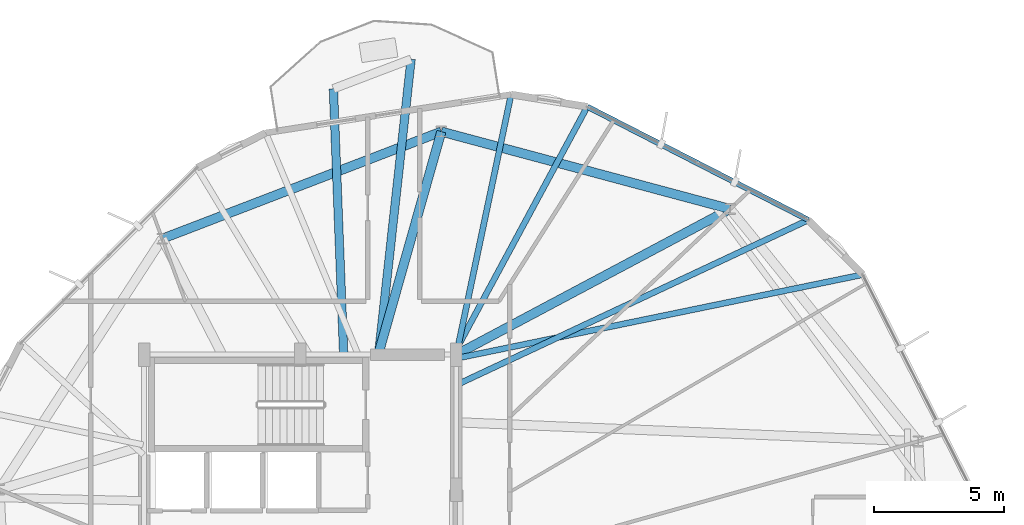
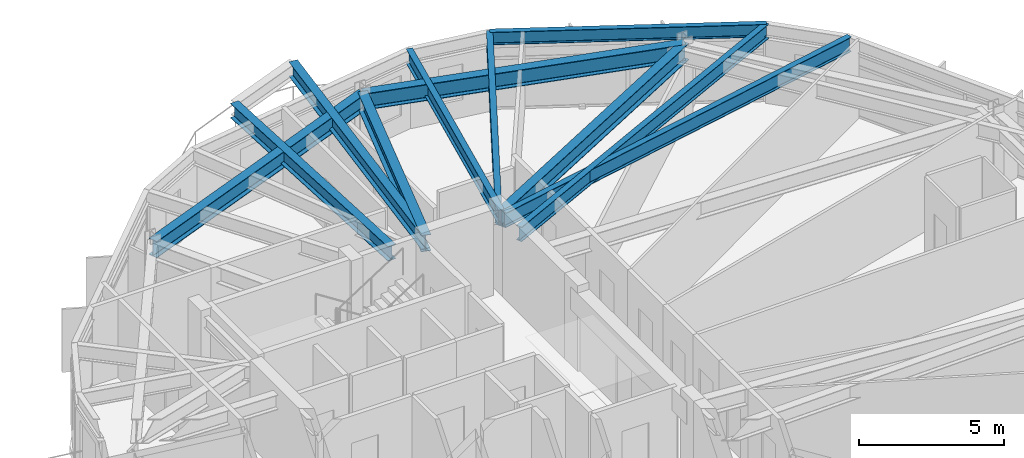
# One storey, part 15 of 27: 11 beams.
"""IFC4 building model written with IfcOpenShell, lengths in metres."""

from ifc_helpers import new_model, si_unit, direction, frame, origin, origin_2d, place, context, subcontext, project, spatial, i_section, extrude, material, material_profile, profile_set, type_object, element, save


model = new_model("IFC4")

# Units and contexts
model_context = context("Model", 3, precision=1e-05, world=origin(), true_north=direction((0.0, 1.0)))
body_context = subcontext(model_context, "Body", "Model", "MODEL_VIEW")
ifc_project = project(units=[si_unit("LENGTHUNIT", "METRE"), si_unit("AREAUNIT", "SQUARE_METRE"), si_unit("VOLUMEUNIT", "CUBIC_METRE"), si_unit("PLANEANGLEUNIT", "RADIAN"), si_unit("MASSUNIT", "GRAM", prefix="KILO")], contexts=[model_context])

# Site, building, storey
site_placement = place(None, origin())
site = spatial("IfcSite", under=ifc_project, at=site_placement, CompositionType="ELEMENT")
building_placement = place(site_placement, origin())
building = spatial("IfcBuilding", under=site, at=building_placement, Name="Soratama Intermodal Tower", CompositionType="ELEMENT")
storey_placement = place(building_placement, frame((0.0, 0.0, 197.800048828125)))
storey = spatial("IfcBuildingStorey", under=building, at=storey_placement, Name="L49", CompositionType="ELEMENT", Elevation=197.800048828125)

# Beams
ifc_material_1 = material(Name="Structural steel ASTM A992 Grade 50", Category="steel")
ifc_material_profile_1 = material_profile(ifc_material_1, i_section(OverallWidth=0.324951171875, OverallDepth=0.615966796875, WebThickness=0.013916015625, FlangeThickness=0.021484375, FilletRadius=0.013916015625, at=origin_2d()), Name="W24X117")
ifc_profile_set_1 = profile_set([ifc_material_profile_1], Name="Structural steel ASTM A992 Grade 50")
beam_type_1 = type_object("IfcBeamType", Name="BM-CANT-W24X117", PredefinedType="BEAM", material=ifc_profile_set_1)
beam_1_placement = place(storey_placement, frame((41.616943359375, 35.0400390625, 2.991943359375), z_axis=(0.109671527141, 0.993967884861, 0.0), x_axis=(-0.993967884861, 0.109671527141, 0.0)))
element("IfcBeam", 1, at=beam_1_placement, inside=storey, type_object=beam_type_1, Name="BM-L49-CANT-2-1", PredefinedType="BEAM", context=body_context, shape_type="SweptSolid", body=[
    extrude(i_section(OverallWidth=0.324951171875, OverallDepth=0.615966796875, WebThickness=0.013916015625, FlangeThickness=0.021484375, FilletRadius=0.013916015625, at=origin_2d()), origin(), (0.0, 0.0, 1.0), 11.388671875),
])
beam_2_placement = place(storey_placement, frame((40.27001953125, 35.0400390625, 2.991943359375), z_axis=(-0.038663115879, 0.999252302209, 0.0), x_axis=(-0.999252302209, -0.038663115879, 0.0)))
element("IfcBeam", 2, at=beam_2_placement, inside=storey, type_object=beam_type_1, Name="BM-L49-CANT-2-2", PredefinedType="BEAM", context=body_context, shape_type="SweptSolid", body=[
    extrude(i_section(OverallWidth=0.324951171875, OverallDepth=0.615966796875, WebThickness=0.013916015625, FlangeThickness=0.021484375, FilletRadius=0.013916015625, at=origin_2d()), origin(), (0.0, 0.0, 1.0), 10.191650390625),
])
ifc_material_2 = material(Name="Structural steel ASTM A992 Grade 50", Category="steel")
ifc_material_profile_2 = material_profile(ifc_material_2, i_section(OverallWidth=0.35498046875, OverallDepth=0.695068359375, WebThickness=0.015380859375, FlangeThickness=0.02490234375, FilletRadius=0.01611328125, at=origin_2d()), Name="W27X146")
ifc_profile_set_2 = profile_set([ifc_material_profile_2], Name="Structural steel ASTM A992 Grade 50")
beam_type_2 = type_object("IfcBeamType", Name="BM-RING-W27X146", PredefinedType="BEAM", material=ifc_profile_set_2)
beam_3_placement = place(storey_placement, frame((55.1298828125, 40.59912109375, 2.952392578125), z_axis=(-0.965907374298, 0.258887899055, 0.0), x_axis=(-0.258887899055, -0.965907374298, 0.0)))
element("IfcBeam", 3, at=beam_3_placement, inside=storey, type_object=beam_type_2, Name="BM-L49-RING-02", PredefinedType="BEAM", context=body_context, shape_type="SweptSolid", body=[
    extrude(i_section(OverallWidth=0.35498046875, OverallDepth=0.695068359375, WebThickness=0.015380859375, FlangeThickness=0.02490234375, FilletRadius=0.01611328125, at=origin_2d()), origin(), (0.0, 0.0, 1.0), 11.49462890625),
])
beam_4_placement = place(storey_placement, frame((44.027099609375, 43.574951171875, 2.952392578125), z_axis=(-0.933575304305, -0.358381293026, 0.0), x_axis=(0.358381293026, -0.933575304305, 0.0)))
element("IfcBeam", 4, at=beam_4_placement, inside=storey, type_object=beam_type_2, Name="BM-L49-RING-03", PredefinedType="BEAM", context=body_context, shape_type="SweptSolid", body=[
    extrude(i_section(OverallWidth=0.35498046875, OverallDepth=0.695068359375, WebThickness=0.015380859375, FlangeThickness=0.02490234375, FilletRadius=0.01611328125, at=origin_2d()), origin(), (0.0, 0.0, 1.0), 11.495849609375),
])
beam_5_placement = place(storey_placement, frame((44.60009765625, 35.0, 2.952392578125), z_axis=(0.882935948236, 0.469493462482, 0.0), x_axis=(-0.469493462482, 0.882935948236, 0.0)))
element("IfcBeam", 5, at=beam_5_placement, inside=storey, type_object=beam_type_2, Name="BM-L49-RAD-02", PredefinedType="BEAM", context=body_context, shape_type="SweptSolid", body=[
    extrude(i_section(OverallWidth=0.35498046875, OverallDepth=0.695068359375, WebThickness=0.015380859375, FlangeThickness=0.02490234375, FilletRadius=0.01611328125, at=origin_2d()), origin(), (0.0, 0.0, 1.0), 11.92578125),
])
beam_6_placement = place(storey_placement, frame((41.60009765625, 35.0, 2.952392578125), z_axis=(0.272335865412, 0.96220225338, 0.0), x_axis=(-0.96220225338, 0.272335865412, 0.0)))
element("IfcBeam", 6, at=beam_6_placement, inside=storey, type_object=beam_type_2, Name="BM-L49-RAD-03", PredefinedType="BEAM", context=body_context, shape_type="SweptSolid", body=[
    extrude(i_section(OverallWidth=0.35498046875, OverallDepth=0.695068359375, WebThickness=0.015380859375, FlangeThickness=0.02490234375, FilletRadius=0.01611328125, at=origin_2d()), origin(), (0.0, 0.0, 1.0), 8.911865234375),
])
ifc_material_3 = material(Name="Structural steel ASTM A992 Grade 50", Category="steel")
ifc_material_profile_3 = material_profile(ifc_material_3, i_section(OverallWidth=0.2099609375, OverallDepth=0.537109375, WebThickness=0.010986328125, FlangeThickness=0.017333984375, FilletRadius=0.012939453125, at=origin_2d()), Name="W21X68")
ifc_profile_set_3 = profile_set([ifc_material_profile_3], Name="Structural steel ASTM A992 Grade 50")
beam_type_3 = type_object("IfcBeamType", Name="BM-SPN-W21X68", PredefinedType="SPANDREL", material=ifc_profile_set_3)
beam_7_placement = place(storey_placement, frame((58.139892578125, 40.177978515625, 3.031494140625), z_axis=(-0.890029706257, 0.455902535614, 0.0), x_axis=(-0.455902535614, -0.890029706257, 0.0)))
element("IfcBeam", 7, at=beam_7_placement, inside=storey, type_object=beam_type_3, Name="BS-L49-F01", PredefinedType="SPANDREL", context=body_context, shape_type="SweptSolid", body=[
    extrude(i_section(OverallWidth=0.2099609375, OverallDepth=0.537109375, WebThickness=0.010986328125, FlangeThickness=0.017333984375, FilletRadius=0.012939453125, at=origin_2d()), origin(), (0.0, 0.0, 1.0), 9.552490234375),
])
ifc_material_4 = material(Name="Structural steel ASTM A992 Grade 50", Category="steel")
ifc_material_profile_4 = material_profile(ifc_material_4, i_section(OverallWidth=0.22900390625, OverallDepth=0.612060546875, WebThickness=0.011962890625, FlangeThickness=0.01953125, FilletRadius=0.012939453125, at=origin_2d()), Name="W24X84")
ifc_profile_set_4 = profile_set([ifc_material_profile_4], Name="Structural steel ASTM A992 Grade 50")
beam_type_4 = type_object("IfcBeamType", Name="BM-TIE-W24X84", PredefinedType="BEAM", material=ifc_profile_set_4)
beam_8_placement = place(storey_placement, frame((44.635986328125, 33.847900390625, 2.993896484375), z_axis=(0.905455790383, 0.424440586727, 0.0), x_axis=(-0.424440586727, 0.905455790383, 0.0)))
element("IfcBeam", 8, at=beam_8_placement, inside=storey, type_object=beam_type_4, Name="BM-L49-TIE0-01", PredefinedType="BEAM", context=body_context, shape_type="SweptSolid", body=[
    extrude(i_section(OverallWidth=0.22900390625, OverallDepth=0.612060546875, WebThickness=0.011962890625, FlangeThickness=0.01953125, FilletRadius=0.012939453125, at=origin_2d()), origin(), (0.0, 0.0, 1.0), 14.913818359375),
])
beam_9_placement = place(storey_placement, frame((44.511962890625, 35.034912109375, 2.993896484375), z_axis=(0.474935937891, 0.880020371866, 0.0), x_axis=(-0.880020371866, 0.474935937891, 0.0)))
element("IfcBeam", 9, at=beam_9_placement, inside=storey, type_object=beam_type_4, Name="BM-L49-TIE1-01", PredefinedType="BEAM", context=body_context, shape_type="SweptSolid", body=[
    extrude(i_section(OverallWidth=0.22900390625, OverallDepth=0.612060546875, WebThickness=0.011962890625, FlangeThickness=0.01953125, FilletRadius=0.012939453125, at=origin_2d()), origin(), (0.0, 0.0, 1.0), 10.79296875),
])
beam_10_placement = place(storey_placement, frame((44.60791015625, 35.02001953125, 2.993896484375), z_axis=(0.205955000127, 0.978561463538, 0.0), x_axis=(-0.978561463538, 0.205955000127, 0.0)))
element("IfcBeam", 10, at=beam_10_placement, inside=storey, type_object=beam_type_4, Name="BM-L49-TIE0-02", PredefinedType="BEAM", context=body_context, shape_type="SweptSolid", body=[
    extrude(i_section(OverallWidth=0.22900390625, OverallDepth=0.612060546875, WebThickness=0.011962890625, FlangeThickness=0.01953125, FilletRadius=0.012939453125, at=origin_2d()), origin(), (0.0, 0.0, 1.0), 10.20166015625),
])
beam_11_placement = place(storey_placement, frame((44.638916015625, 34.863037109375, 2.993896484375), z_axis=(0.979427726547, 0.201795263748, 0.0), x_axis=(-0.201795263748, 0.979427726547, 0.0)))
element("IfcBeam", 11, at=beam_11_placement, inside=storey, type_object=beam_type_4, Name="BM-L49-TIE1-10", PredefinedType="BEAM", context=body_context, shape_type="SweptSolid", body=[
    extrude(i_section(OverallWidth=0.22900390625, OverallDepth=0.612060546875, WebThickness=0.011962890625, FlangeThickness=0.01953125, FilletRadius=0.012939453125, at=origin_2d()), origin(), (0.0, 0.0, 1.0), 15.921630859375),
])

save(model, "model.ifc")
